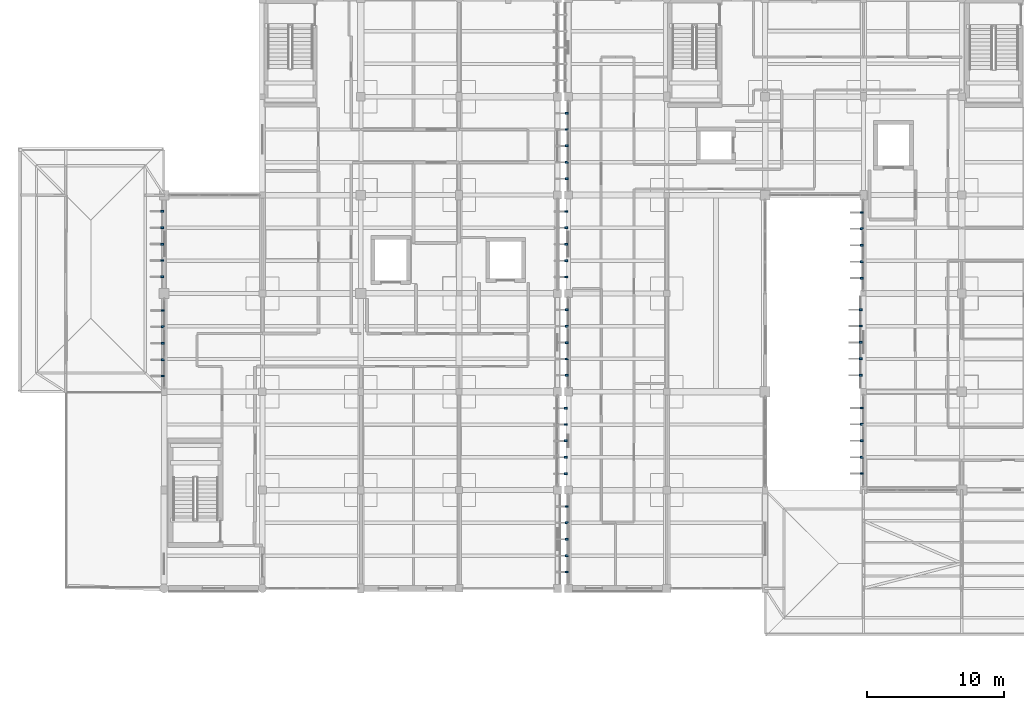
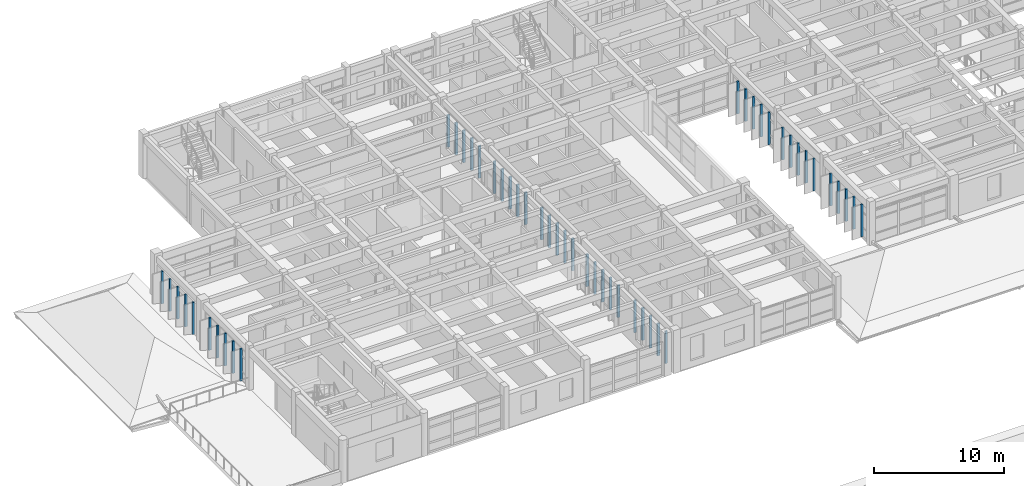
# One storey, part 84 of 100: 50 discrete accessories.
"""IFC4 building model written with IfcOpenShell, lengths in metres."""

from ifc_helpers import new_model, si_unit, direction, frame, origin, origin_2d, place, context, subcontext, project, spatial, rectangle, extrude, material, type_object, element, save


model = new_model("IFC4")

# Units and contexts
model_context = context("Model", 3, precision=1e-05, world=origin(), true_north=direction((0.0, 1.0)))
body_context = subcontext(model_context, "Body", "Model", "MODEL_VIEW")
ifc_project = project(units=[si_unit("LENGTHUNIT", "METRE"), si_unit("AREAUNIT", "SQUARE_METRE"), si_unit("VOLUMEUNIT", "CUBIC_METRE"), si_unit("PLANEANGLEUNIT", "RADIAN"), si_unit("MASSUNIT", "GRAM", prefix="KILO")], contexts=[model_context])

# Site, building, storey
site_placement = place(None, origin())
site = spatial("IfcSite", under=ifc_project, at=site_placement, CompositionType="ELEMENT")
building_placement = place(site_placement, origin())
building = spatial("IfcBuilding", under=site, at=building_placement, Name="Steenspoor Specialist Clinic", CompositionType="ELEMENT")
storey_placement = place(building_placement, frame((0.0, 0.0, 9.0)))
storey = spatial("IfcBuildingStorey", under=building, at=storey_placement, Name="L02", CompositionType="ELEMENT", Elevation=9.0)

# Discrete accessories
ifc_material = material(Name="Galvanised steel mounting bracket", Category="steel")
discrete_accessory_type = type_object("IfcDiscreteAccessoryType", Name="ACC-BRACKET-FIN", PredefinedType="BRACKET", material=ifc_material)
for number, where, z_axis, x_axis, name in (
    (1, (52.2900390625, 95.14990234375, 0.0498046875), (0.0, 0.0, 1.0), (-1.0, 0.0, 0.0), "Fin Mounting Bracket 16"),
    (2, (52.2900390625, 96.35009765625, 0.0498046875), (0.0, 0.0, 1.0), (-1.0, 0.0, 0.0), "Fin Mounting Bracket 17"),
    (3, (52.2900390625, 97.550048828125, 0.0498046875), (0.0, 0.0, 1.0), (-1.0, 0.0, 0.0), "Fin Mounting Bracket 18"),
    (4, (52.2900390625, 98.75, 0.0498046875), (0.0, 0.0, 1.0), (-1.0, 0.0, 0.0), "Fin Mounting Bracket 19"),
    (5, (52.2900390625, 99.949951171875, 0.0498046875), (0.0, 0.0, 1.0), (-1.0, 0.0, 0.0), "Fin Mounting Bracket 20"),
    (6, (73.889892578125, 73.5625, 0.0498046875), (0.0, 0.0, 1.0), (-1.0, 0.0, 0.0), "Fin Mounting Bracket 46"),
    (7, (73.889892578125, 74.762451171875, 0.0498046875), (0.0, 0.0, 1.0), (-1.0, 0.0, 0.0), "Fin Mounting Bracket 47"),
    (8, (73.889892578125, 75.96240234375, 0.0498046875), (0.0, 0.0, 1.0), (-1.0, 0.0, 0.0), "Fin Mounting Bracket 48"),
    (9, (73.889892578125, 77.16259765625, 0.0498046875), (0.0, 0.0, 1.0), (-1.0, 0.0, 0.0), "Fin Mounting Bracket 49"),
    (10, (73.889892578125, 78.362548828125, 0.0498046875), (0.0, 0.0, 1.0), (-1.0, 0.0, 0.0), "Fin Mounting Bracket 50"),
    (11, (73.7900390625, 80.762451171875, 0.0498046875), (0.0, 0.0, 1.0), (-1.0, 0.0, 0.0), "Fin Mounting Bracket 51"),
    (12, (73.7900390625, 81.96240234375, 0.0498046875), (0.0, 0.0, 1.0), (-1.0, 0.0, 0.0), "Fin Mounting Bracket 52"),
    (13, (73.7900390625, 83.16259765625, 0.0498046875), (0.0, 0.0, 1.0), (-1.0, 0.0, 0.0), "Fin Mounting Bracket 53"),
    (14, (73.7900390625, 84.362548828125, 0.0498046875), (0.0, 0.0, 1.0), (-1.0, 0.0, 0.0), "Fin Mounting Bracket 54"),
    (15, (73.7900390625, 85.5625, 0.0498046875), (0.0, 0.0, 1.0), (-1.0, 0.0, 0.0), "Fin Mounting Bracket 55"),
    (16, (73.889892578125, 87.875, 0.0498046875), (0.0, 0.0, 1.0), (-1.0, 0.0, 0.0), "Fin Mounting Bracket 56"),
    (17, (73.889892578125, 89.074951171875, 0.0498046875), (0.0, 0.0, 1.0), (-1.0, 0.0, 0.0), "Fin Mounting Bracket 57"),
    (18, (73.889892578125, 90.27490234375, 0.0498046875), (0.0, 0.0, 1.0), (-1.0, 0.0, 0.0), "Fin Mounting Bracket 58"),
    (19, (73.889892578125, 91.47509765625, 0.0498046875), (0.0, 0.0, 1.0), (-1.0, 0.0, 0.0), "Fin Mounting Bracket 59"),
    (20, (73.889892578125, 92.675048828125, 0.0498046875), (0.0, 0.0, 1.0), (-1.0, 0.0, 0.0), "Fin Mounting Bracket 60"),
    (21, (52.2900390625, 66.35009765625, 0.0498046875), (0.0, 0.0, 1.0), (-1.0, 0.0, 0.0), "Fin Mounting Bracket 61"),
    (22, (52.2900390625, 67.550048828125, 0.0498046875), (0.0, 0.0, 1.0), (-1.0, 0.0, 0.0), "Fin Mounting Bracket 62"),
    (23, (52.2900390625, 68.75, 0.0498046875), (0.0, 0.0, 1.0), (-1.0, 0.0, 0.0), "Fin Mounting Bracket 63"),
    (24, (52.2900390625, 69.949951171875, 0.0498046875), (0.0, 0.0, 1.0), (-1.0, 0.0, 0.0), "Fin Mounting Bracket 64"),
    (25, (52.2900390625, 71.14990234375, 0.0498046875), (0.0, 0.0, 1.0), (-1.0, 0.0, 0.0), "Fin Mounting Bracket 65"),
    (26, (52.18994140625, 73.550048828125, 0.0498046875), (0.0, 0.0, 1.0), (-1.0, 0.0, 0.0), "Fin Mounting Bracket 66"),
    (27, (52.18994140625, 74.75, 0.0498046875), (0.0, 0.0, 1.0), (-1.0, 0.0, 0.0), "Fin Mounting Bracket 67"),
    (28, (52.18994140625, 75.949951171875, 0.0498046875), (0.0, 0.0, 1.0), (-1.0, 0.0, 0.0), "Fin Mounting Bracket 68"),
    (29, (52.18994140625, 77.14990234375, 0.0498046875), (0.0, 0.0, 1.0), (-1.0, 0.0, 0.0), "Fin Mounting Bracket 69"),
    (30, (52.18994140625, 78.35009765625, 0.0498046875), (0.0, 0.0, 1.0), (-1.0, 0.0, 0.0), "Fin Mounting Bracket 70"),
    (31, (52.2900390625, 80.75, 0.0498046875), (0.0, 0.0, 1.0), (-1.0, 0.0, 0.0), "Fin Mounting Bracket 71"),
    (32, (52.2900390625, 81.949951171875, 0.0498046875), (0.0, 0.0, 1.0), (-1.0, 0.0, 0.0), "Fin Mounting Bracket 72"),
    (33, (52.2900390625, 83.14990234375, 0.0498046875), (0.0, 0.0, 1.0), (-1.0, 0.0, 0.0), "Fin Mounting Bracket 73"),
    (34, (52.2900390625, 84.35009765625, 0.0498046875), (0.0, 0.0, 1.0), (-1.0, 0.0, 0.0), "Fin Mounting Bracket 74"),
    (35, (52.2900390625, 85.550048828125, 0.0498046875), (0.0, 0.0, 1.0), (-1.0, 0.0, 0.0), "Fin Mounting Bracket 75"),
    (36, (52.25, 87.949951171875, 0.0498046875), (0.0, 0.0, 1.0), (-1.0, 0.0, 0.0), "Fin Mounting Bracket 76"),
    (37, (52.25, 89.14990234375, 0.0498046875), (0.0, 0.0, 1.0), (-1.0, 0.0, 0.0), "Fin Mounting Bracket 77"),
    (38, (52.25, 90.35009765625, 0.0498046875), (0.0, 0.0, 1.0), (-1.0, 0.0, 0.0), "Fin Mounting Bracket 78"),
    (39, (52.25, 91.550048828125, 0.0498046875), (0.0, 0.0, 1.0), (-1.0, 0.0, 0.0), "Fin Mounting Bracket 79"),
    (40, (52.25, 92.75, 0.0498046875), (0.0, 0.0, 1.0), (-1.0, 0.0, 0.0), "Fin Mounting Bracket 80"),
    (41, (22.68994140625, 80.699951171875, 0.0498046875), (0.0, 0.0, 1.0), (-1.0, 0.0, 0.0), "Fin Mounting Bracket 140"),
    (42, (22.68994140625, 81.89990234375, 0.0498046875), (0.0, 0.0, 1.0), (-1.0, 0.0, 0.0), "Fin Mounting Bracket 141"),
    (43, (22.68994140625, 83.10009765625, 0.0498046875), (0.0, 0.0, 1.0), (-1.0, 0.0, 0.0), "Fin Mounting Bracket 142"),
    (44, (22.68994140625, 84.300048828125, 0.0498046875), (0.0, 0.0, 1.0), (-1.0, 0.0, 0.0), "Fin Mounting Bracket 143"),
    (45, (22.68994140625, 85.5, 0.0498046875), (0.0, 0.0, 1.0), (-1.0, 0.0, 0.0), "Fin Mounting Bracket 144"),
    (46, (22.64990234375, 87.96240234375, 0.0498046875), (0.0, 0.0, 1.0), (-1.0, 0.0, 0.0), "Fin Mounting Bracket 145"),
    (47, (22.64990234375, 89.16259765625, 0.0498046875), (0.0, 0.0, 1.0), (-1.0, 0.0, 0.0), "Fin Mounting Bracket 146"),
    (48, (22.64990234375, 90.362548828125, 0.0498046875), (0.0, 0.0, 1.0), (-1.0, 0.0, 0.0), "Fin Mounting Bracket 147"),
    (49, (22.64990234375, 91.5625, 0.0498046875), (0.0, 0.0, 1.0), (-1.0, 0.0, 0.0), "Fin Mounting Bracket 148"),
    (50, (22.64990234375, 92.762451171875, 0.0498046875), (0.0, 0.0, 1.0), (-1.0, 0.0, 0.0), "Fin Mounting Bracket 149"),
):
    element("IfcDiscreteAccessory", number, at=place(storey_placement, frame(where, z_axis=z_axis, x_axis=x_axis)), inside=storey, type_object=discrete_accessory_type, Name=name, PredefinedType="BRACKET", context=body_context, shape_type="SweptSolid", body=[
        extrude(rectangle(XDim=0.219970703125, YDim=0.139892578125, at=origin_2d()), origin(), (0.0, 0.0, 1.0), 3.030029296875),
    ])

save(model, "model.ifc")
